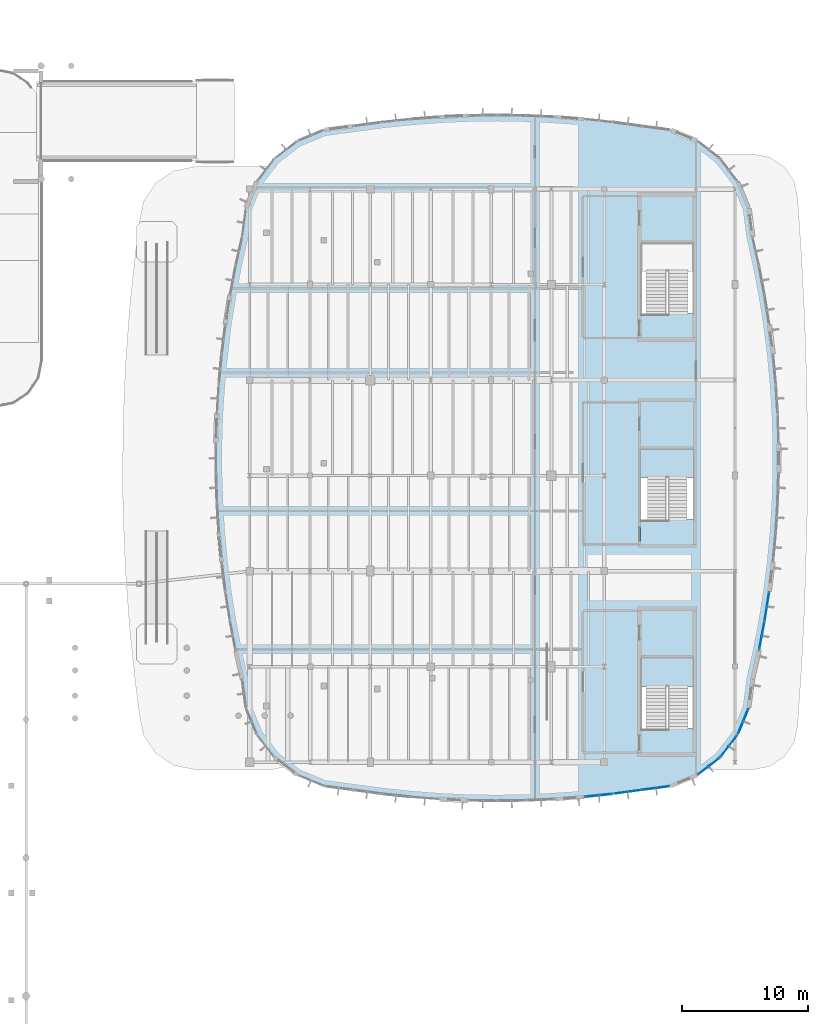
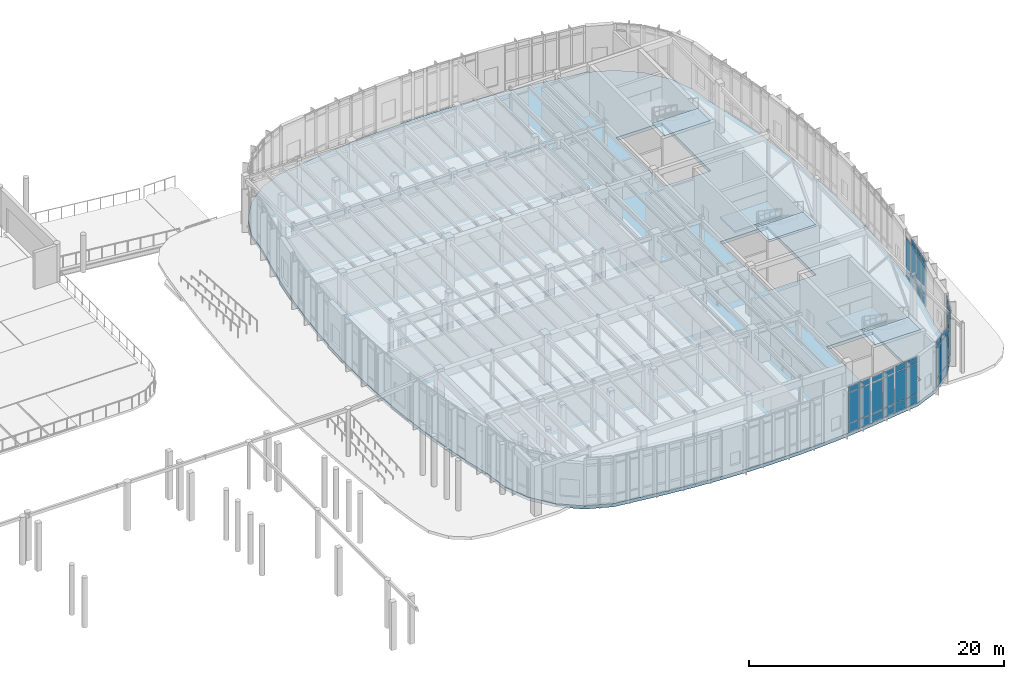
# One storey, part 83 of 120: 47 plates, 6 slabs, 11 elements without a shape of their own.
"""IFC4 building model written with IfcOpenShell, lengths in metres."""

from ifc_helpers import new_model, si_unit, direction, frame, origin, origin_2d, place, context, subcontext, project, spatial, polyline, rectangle, outline, extrude, material, layer, layer_set, type_object, element, aggregate, save


model = new_model("IFC4")

# Units and contexts
model_context = context("Model", 3, precision=1e-05, world=origin(), true_north=direction((0.0, 1.0)))
body_context = subcontext(model_context, "Body", "Model", "MODEL_VIEW")
ifc_project = project(units=[si_unit("LENGTHUNIT", "METRE"), si_unit("AREAUNIT", "SQUARE_METRE"), si_unit("VOLUMEUNIT", "CUBIC_METRE"), si_unit("PLANEANGLEUNIT", "RADIAN"), si_unit("MASSUNIT", "GRAM", prefix="KILO")], contexts=[model_context])

# Site, building, storey
site_placement = place(None, origin())
site = spatial("IfcSite", under=ifc_project, at=site_placement, CompositionType="ELEMENT")
building_placement = place(site_placement, origin())
building = spatial("IfcBuilding", under=site, at=building_placement, Name="Corveleigh Park Community Centre", CompositionType="ELEMENT")
storey_placement = place(building_placement, origin())
storey = spatial("IfcBuildingStorey", under=building, at=storey_placement, Name="L00", CompositionType="ELEMENT", Elevation=0.0)

# Curtain wall, plates
ifc_material_1 = material(Name="Anodised aluminium 6063-T6", Category="aluminium")
curtain_wall_type = type_object("IfcCurtainWallType", Name="CW-SYS-V4-L00", PredefinedType="NOTDEFINED", material=ifc_material_1)
curtain_wall_1_placement = place(storey_placement, origin())
curtain_wall_1 = element("IfcCurtainWall", 1, at=curtain_wall_1_placement, inside=storey, type_object=curtain_wall_type, Name="V4 L00 Curtain Wall 121", PredefinedType="NOTDEFINED")
ifc_material_2 = material(Name="Low-E double glazing", Category="glass")
ifc_layer_1 = layer(ifc_material_2, 0.02392578125, Name="Low-E double glazing", Category="glass")
ifc_layer_set_1 = layer_set([ifc_layer_1], Name="Low-E double glazing")
plate_type_1 = type_object("IfcPlateType", Name="CWP-GLZ-24", PredefinedType="CURTAIN_PANEL", material=ifc_layer_set_1)
plate_1_placement = place(storey_placement, frame((171.037353515625, 71.572998046875, 0.06005859375), z_axis=(0.0, 0.0, 1.0), x_axis=(-0.157011297563, -0.987596806616, 0.0)))
plate_1 = element("IfcPlate", 2, at=plate_1_placement, type_object=plate_type_1, Name="CW07 panel 1.1", PredefinedType="CURTAIN_PANEL", context=body_context, shape_type="SweptSolid", body=[
    extrude(rectangle(XDim=1.0849609375, YDim=0.02392578125, at=origin_2d()), origin(), (0.0, 0.0, 1.0), 0.81005859375),
])
plate_2_placement = place(storey_placement, frame((171.037353515625, 71.572998046875, 0.93017578125), z_axis=(0.0, 0.0, 1.0), x_axis=(-0.157011297563, -0.987596806616, 0.0)))
plate_2 = element("IfcPlate", 3, at=plate_2_placement, type_object=plate_type_1, Name="CW07 panel 1.2", PredefinedType="CURTAIN_PANEL", context=body_context, shape_type="SweptSolid", body=[
    extrude(rectangle(XDim=1.0849609375, YDim=0.02392578125, at=origin_2d()), origin(), (0.0, 0.0, 1.0), 2.902099609375),
])
plate_3_placement = place(storey_placement, frame((170.857666015625, 70.442138671875, 0.06005859375), z_axis=(0.0, 0.0, 1.0), x_axis=(-0.157011297563, -0.987596806616, 0.0)))
plate_3 = element("IfcPlate", 4, at=plate_3_placement, type_object=plate_type_1, Name="CW07 panel 2.1", PredefinedType="CURTAIN_PANEL", context=body_context, shape_type="SweptSolid", body=[
    extrude(rectangle(XDim=1.0849609375, YDim=0.02392578125, at=origin_2d()), origin(), (0.0, 0.0, 1.0), 0.81005859375),
])
plate_4_placement = place(storey_placement, frame((170.857666015625, 70.442138671875, 0.93017578125), z_axis=(0.0, 0.0, 1.0), x_axis=(-0.157011297563, -0.987596806616, 0.0)))
plate_4 = element("IfcPlate", 5, at=plate_4_placement, type_object=plate_type_1, Name="CW07 panel 2.2", PredefinedType="CURTAIN_PANEL", context=body_context, shape_type="SweptSolid", body=[
    extrude(rectangle(XDim=1.0849609375, YDim=0.02392578125, at=origin_2d()), origin(), (0.0, 0.0, 1.0), 2.902099609375),
])
plate_5_placement = place(storey_placement, frame((170.857666015625, 70.442138671875, 3.89208984375), z_axis=(0.0, 0.0, 1.0), x_axis=(-0.157011297563, -0.987596806616, 0.0)))
plate_5 = element("IfcPlate", 6, at=plate_5_placement, type_object=plate_type_1, Name="CW07 panel 2.3", PredefinedType="CURTAIN_PANEL", context=body_context, shape_type="SweptSolid", body=[
    extrude(rectangle(XDim=1.0849609375, YDim=0.02392578125, at=origin_2d()), origin(), (0.0, 0.0, 1.0), 0.56005859375),
])
aggregate(curtain_wall_1, [plate_1, plate_2, plate_3, plate_4, plate_5])

curtain_wall_2_placement = place(storey_placement, origin())
curtain_wall_2 = element("IfcCurtainWall", 7, at=curtain_wall_2_placement, inside=storey, type_object=curtain_wall_type, Name="V4 L00 Curtain Wall 114", PredefinedType="NOTDEFINED")
ifc_layer_2 = layer(ifc_material_2, 0.031982421875, Name="Low-E double glazing", Category="glass")
ifc_layer_set_2 = layer_set([ifc_layer_2], Name="Low-E double glazing")
plate_type_2 = type_object("IfcPlateType", Name="CWP-GLZ-32", PredefinedType="CURTAIN_PANEL", material=ifc_layer_set_2)
plate_6_placement = place(storey_placement, frame((158.11328125, 56.02099609375, 0.074951171875), z_axis=(0.0, 0.0, 1.0), x_axis=(-0.994358586711, -0.106070735992, 0.0)))
plate_6 = element("IfcPlate", 8, at=plate_6_placement, type_object=plate_type_2, Name="CW07 panel 1.1", PredefinedType="CURTAIN_PANEL", context=body_context, shape_type="SweptSolid", body=[
    extrude(rectangle(XDim=1.01806640625, YDim=0.031982421875, at=origin_2d()), origin(), (0.0, 0.0, 1.0), 0.78759765625),
])
plate_7_placement = place(storey_placement, frame((158.11328125, 56.02099609375, 0.9375), z_axis=(0.0, 0.0, 1.0), x_axis=(-0.994358586711, -0.106070735992, 0.0)))
plate_7 = element("IfcPlate", 9, at=plate_7_placement, type_object=plate_type_2, Name="CW07 panel 1.2", PredefinedType="CURTAIN_PANEL", context=body_context, shape_type="SweptSolid", body=[
    extrude(rectangle(XDim=1.01806640625, YDim=0.031982421875, at=origin_2d()), origin(), (0.0, 0.0, 1.0), 2.886962890625),
])
plate_8_placement = place(storey_placement, frame((158.11328125, 56.02099609375, 3.8994140625), z_axis=(0.0, 0.0, 1.0), x_axis=(-0.994358586711, -0.106070735992, 0.0)))
plate_8 = element("IfcPlate", 10, at=plate_8_placement, type_object=plate_type_2, Name="CW07 panel 1.3", PredefinedType="CURTAIN_PANEL", context=body_context, shape_type="SweptSolid", body=[
    extrude(rectangle(XDim=1.01806640625, YDim=0.031982421875, at=origin_2d()), origin(), (0.0, 0.0, 1.0), 0.53759765625),
])
plate_9_placement = place(storey_placement, frame((157.0166015625, 55.904052734375, 0.074951171875), z_axis=(0.0, 0.0, 1.0), x_axis=(-0.994358586711, -0.106070735992, 0.0)))
plate_9 = element("IfcPlate", 11, at=plate_9_placement, type_object=plate_type_2, Name="CW07 panel 2.1", PredefinedType="CURTAIN_PANEL", context=body_context, shape_type="SweptSolid", body=[
    extrude(rectangle(XDim=1.01806640625, YDim=0.031982421875, at=origin_2d()), origin(), (0.0, 0.0, 1.0), 0.78759765625),
])
plate_10_placement = place(storey_placement, frame((157.0166015625, 55.904052734375, 0.9375), z_axis=(0.0, 0.0, 1.0), x_axis=(-0.994358586711, -0.106070735992, 0.0)))
plate_10 = element("IfcPlate", 12, at=plate_10_placement, type_object=plate_type_2, Name="CW07 panel 2.2", PredefinedType="CURTAIN_PANEL", context=body_context, shape_type="SweptSolid", body=[
    extrude(rectangle(XDim=1.01806640625, YDim=0.031982421875, at=origin_2d()), origin(), (0.0, 0.0, 1.0), 2.886962890625),
])
plate_11_placement = place(storey_placement, frame((157.0166015625, 55.904052734375, 3.8994140625), z_axis=(0.0, 0.0, 1.0), x_axis=(-0.994358586711, -0.106070735992, 0.0)))
plate_11 = element("IfcPlate", 13, at=plate_11_placement, type_object=plate_type_2, Name="CW07 panel 2.3", PredefinedType="CURTAIN_PANEL", context=body_context, shape_type="SweptSolid", body=[
    extrude(rectangle(XDim=1.01806640625, YDim=0.031982421875, at=origin_2d()), origin(), (0.0, 0.0, 1.0), 0.53759765625),
])
aggregate(curtain_wall_2, [plate_6, plate_7, plate_8, plate_9, plate_10, plate_11])

curtain_wall_3_placement = place(storey_placement, origin())
curtain_wall_3 = element("IfcCurtainWall", 14, at=curtain_wall_3_placement, inside=storey, type_object=curtain_wall_type, Name="V4 L00 Curtain Wall 115", PredefinedType="NOTDEFINED")
ifc_layer_3 = layer(ifc_material_2, 0.035888671875, Name="Low-E double glazing", Category="glass")
ifc_layer_set_3 = layer_set([ifc_layer_3], Name="Low-E double glazing")
plate_type_3 = type_object("IfcPlateType", Name="CWP-GLZ-36", PredefinedType="CURTAIN_PANEL", material=ifc_layer_set_3)
plate_12_placement = place(storey_placement, frame((160.410400390625, 56.318603515625, 0.080078125), z_axis=(0.0, 0.0, 1.0), x_axis=(-0.990635375791, -0.136534069852, 0.0)))
plate_12 = element("IfcPlate", 15, at=plate_12_placement, type_object=plate_type_3, Name="CW07 panel 1.1", PredefinedType="CURTAIN_PANEL", context=body_context, shape_type="SweptSolid", body=[
    extrude(rectangle(XDim=1.05615234375, YDim=0.035888671875, at=origin_2d()), origin(), (0.0, 0.0, 1.0), 0.780029296875),
])
plate_13_placement = place(storey_placement, frame((160.410400390625, 56.318603515625, 0.93994140625), z_axis=(0.0, 0.0, 1.0), x_axis=(-0.990635375791, -0.136534069852, 0.0)))
plate_13 = element("IfcPlate", 16, at=plate_13_placement, type_object=plate_type_3, Name="CW07 panel 1.2", PredefinedType="CURTAIN_PANEL", context=body_context, shape_type="SweptSolid", body=[
    extrude(rectangle(XDim=1.05615234375, YDim=0.035888671875, at=origin_2d()), origin(), (0.0, 0.0, 1.0), 2.882080078125),
])
plate_14_placement = place(storey_placement, frame((160.410400390625, 56.318603515625, 3.90185546875), z_axis=(0.0, 0.0, 1.0), x_axis=(-0.990635375791, -0.136534069852, 0.0)))
plate_14 = element("IfcPlate", 17, at=plate_14_placement, type_object=plate_type_3, Name="CW07 panel 1.3", PredefinedType="CURTAIN_PANEL", context=body_context, shape_type="SweptSolid", body=[
    extrude(rectangle(XDim=1.05615234375, YDim=0.035888671875, at=origin_2d()), origin(), (0.0, 0.0, 1.0), 0.530029296875),
])
plate_15_placement = place(storey_placement, frame((159.3046875, 56.166259765625, 0.080078125), z_axis=(0.0, 0.0, 1.0), x_axis=(-0.990635375791, -0.136534069852, 0.0)))
plate_15 = element("IfcPlate", 18, at=plate_15_placement, type_object=plate_type_3, Name="CW07 panel 2.1", PredefinedType="CURTAIN_PANEL", context=body_context, shape_type="SweptSolid", body=[
    extrude(rectangle(XDim=1.05615234375, YDim=0.035888671875, at=origin_2d()), origin(), (0.0, 0.0, 1.0), 0.780029296875),
])
plate_16_placement = place(storey_placement, frame((159.3046875, 56.166259765625, 0.93994140625), z_axis=(0.0, 0.0, 1.0), x_axis=(-0.990635375791, -0.136534069852, 0.0)))
plate_16 = element("IfcPlate", 19, at=plate_16_placement, type_object=plate_type_3, Name="CW07 panel 2.2", PredefinedType="CURTAIN_PANEL", context=body_context, shape_type="SweptSolid", body=[
    extrude(rectangle(XDim=1.05615234375, YDim=0.035888671875, at=origin_2d()), origin(), (0.0, 0.0, 1.0), 2.882080078125),
])
plate_17_placement = place(storey_placement, frame((159.3046875, 56.166259765625, 3.90185546875), z_axis=(0.0, 0.0, 1.0), x_axis=(-0.990635375791, -0.136534069852, 0.0)))
plate_17 = element("IfcPlate", 20, at=plate_17_placement, type_object=plate_type_3, Name="CW07 panel 2.3", PredefinedType="CURTAIN_PANEL", context=body_context, shape_type="SweptSolid", body=[
    extrude(rectangle(XDim=1.05615234375, YDim=0.035888671875, at=origin_2d()), origin(), (0.0, 0.0, 1.0), 0.530029296875),
])
aggregate(curtain_wall_3, [plate_12, plate_13, plate_14, plate_15, plate_16, plate_17])

curtain_wall_4_placement = place(storey_placement, origin())
curtain_wall_4 = element("IfcCurtainWall", 21, at=curtain_wall_4_placement, inside=storey, type_object=curtain_wall_type, Name="V4 L00 Curtain Wall 116", PredefinedType="NOTDEFINED")
plate_18_placement = place(storey_placement, frame((162.670166015625, 56.6201171875, 0.06005859375), z_axis=(0.0, 0.0, 1.0), x_axis=(-0.991431673383, -0.130626325881, 0.0)))
plate_18 = element("IfcPlate", 22, at=plate_18_placement, type_object=plate_type_3, Name="CW07 panel 1.1", PredefinedType="CURTAIN_PANEL", context=body_context, shape_type="SweptSolid", body=[
    extrude(rectangle(XDim=1.03173828125, YDim=0.035888671875, at=origin_2d()), origin(), (0.0, 0.0, 1.0), 0.81005859375),
])
plate_19_placement = place(storey_placement, frame((162.670166015625, 56.6201171875, 0.93017578125), z_axis=(0.0, 0.0, 1.0), x_axis=(-0.991431673383, -0.130626325881, 0.0)))
plate_19 = element("IfcPlate", 23, at=plate_19_placement, type_object=plate_type_3, Name="CW07 panel 1.2", PredefinedType="CURTAIN_PANEL", context=body_context, shape_type="SweptSolid", body=[
    extrude(rectangle(XDim=1.03173828125, YDim=0.035888671875, at=origin_2d()), origin(), (0.0, 0.0, 1.0), 2.902099609375),
])
plate_20_placement = place(storey_placement, frame((162.670166015625, 56.6201171875, 3.89208984375), z_axis=(0.0, 0.0, 1.0), x_axis=(-0.991431673383, -0.130626325881, 0.0)))
plate_20 = element("IfcPlate", 24, at=plate_20_placement, type_object=plate_type_3, Name="CW07 panel 1.3", PredefinedType="CURTAIN_PANEL", context=body_context, shape_type="SweptSolid", body=[
    extrude(rectangle(XDim=1.03173828125, YDim=0.035888671875, at=origin_2d()), origin(), (0.0, 0.0, 1.0), 0.56005859375),
])
plate_21_placement = place(storey_placement, frame((161.582763671875, 56.476806640625, 0.06005859375), z_axis=(0.0, 0.0, 1.0), x_axis=(-0.991431673383, -0.130626325881, 0.0)))
plate_21 = element("IfcPlate", 25, at=plate_21_placement, type_object=plate_type_3, Name="CW07 panel 2.1", PredefinedType="CURTAIN_PANEL", context=body_context, shape_type="SweptSolid", body=[
    extrude(rectangle(XDim=1.03173828125, YDim=0.035888671875, at=origin_2d()), origin(), (0.0, 0.0, 1.0), 0.81005859375),
])
plate_22_placement = place(storey_placement, frame((161.582763671875, 56.476806640625, 0.93017578125), z_axis=(0.0, 0.0, 1.0), x_axis=(-0.991431673383, -0.130626325881, 0.0)))
plate_22 = element("IfcPlate", 26, at=plate_22_placement, type_object=plate_type_3, Name="CW07 panel 2.2", PredefinedType="CURTAIN_PANEL", context=body_context, shape_type="SweptSolid", body=[
    extrude(rectangle(XDim=1.03173828125, YDim=0.035888671875, at=origin_2d()), origin(), (0.0, 0.0, 1.0), 2.902099609375),
])
plate_23_placement = place(storey_placement, frame((161.582763671875, 56.476806640625, 3.89208984375), z_axis=(0.0, 0.0, 1.0), x_axis=(-0.991431673383, -0.130626325881, 0.0)))
plate_23 = element("IfcPlate", 27, at=plate_23_placement, type_object=plate_type_3, Name="CW07 panel 2.3", PredefinedType="CURTAIN_PANEL", context=body_context, shape_type="SweptSolid", body=[
    extrude(rectangle(XDim=1.03173828125, YDim=0.035888671875, at=origin_2d()), origin(), (0.0, 0.0, 1.0), 0.56005859375),
])
aggregate(curtain_wall_4, [plate_18, plate_19, plate_20, plate_21, plate_22, plate_23])

curtain_wall_5_placement = place(storey_placement, origin())
curtain_wall_5 = element("IfcCurtainWall", 28, at=curtain_wall_5_placement, inside=storey, type_object=curtain_wall_type, Name="V4 L00 Curtain Wall 117", PredefinedType="NOTDEFINED")
ifc_layer_4 = layer(ifc_material_2, 0.0400390625, Name="Low-E double glazing", Category="glass")
ifc_layer_set_4 = layer_set([ifc_layer_4], Name="Low-E double glazing")
plate_type_4 = type_object("IfcPlateType", Name="CWP-GLZ-40", PredefinedType="CURTAIN_PANEL", material=ifc_layer_set_4)
plate_24_placement = place(storey_placement, frame((166.740966796875, 58.607421875, 0.06494140625), z_axis=(0.0, 0.0, 1.0), x_axis=(-0.79345507523, -0.608628822511, 0.0)))
plate_24 = element("IfcPlate", 29, at=plate_24_placement, type_object=plate_type_4, Name="CW07 panel 1.1", PredefinedType="CURTAIN_PANEL", context=body_context, shape_type="SweptSolid", body=[
    extrude(rectangle(XDim=1.01220703125, YDim=0.0400390625, at=origin_2d()), origin(), (0.0, 0.0, 1.0), 0.802490234375),
])
plate_25_placement = place(storey_placement, frame((166.740966796875, 58.607421875, 0.9326171875), z_axis=(0.0, 0.0, 1.0), x_axis=(-0.79345507523, -0.608628822511, 0.0)))
plate_25 = element("IfcPlate", 30, at=plate_25_placement, type_object=plate_type_4, Name="CW07 panel 1.2", PredefinedType="CURTAIN_PANEL", context=body_context, shape_type="SweptSolid", body=[
    extrude(rectangle(XDim=1.01220703125, YDim=0.0400390625, at=origin_2d()), origin(), (0.0, 0.0, 1.0), 2.89697265625),
])
plate_26_placement = place(storey_placement, frame((166.740966796875, 58.607421875, 3.89453125), z_axis=(0.0, 0.0, 1.0), x_axis=(-0.79345507523, -0.608628822511, 0.0)))
plate_26 = element("IfcPlate", 31, at=plate_26_placement, type_object=plate_type_4, Name="CW07 panel 1.3", PredefinedType="CURTAIN_PANEL", context=body_context, shape_type="SweptSolid", body=[
    extrude(rectangle(XDim=1.01220703125, YDim=0.0400390625, at=origin_2d()), origin(), (0.0, 0.0, 1.0), 0.552490234375),
])
plate_27_placement = place(storey_placement, frame((165.882080078125, 57.94873046875, 0.06494140625), z_axis=(0.0, 0.0, 1.0), x_axis=(-0.79345507523, -0.608628822511, 0.0)))
plate_27 = element("IfcPlate", 32, at=plate_27_placement, type_object=plate_type_4, Name="CW07 panel 2.1", PredefinedType="CURTAIN_PANEL", context=body_context, shape_type="SweptSolid", body=[
    extrude(rectangle(XDim=1.01220703125, YDim=0.0400390625, at=origin_2d()), origin(), (0.0, 0.0, 1.0), 0.802490234375),
])
plate_28_placement = place(storey_placement, frame((165.882080078125, 57.94873046875, 0.9326171875), z_axis=(0.0, 0.0, 1.0), x_axis=(-0.79345507523, -0.608628822511, 0.0)))
plate_28 = element("IfcPlate", 33, at=plate_28_placement, type_object=plate_type_4, Name="CW07 panel 2.2", PredefinedType="CURTAIN_PANEL", context=body_context, shape_type="SweptSolid", body=[
    extrude(rectangle(XDim=1.01220703125, YDim=0.0400390625, at=origin_2d()), origin(), (0.0, 0.0, 1.0), 2.89697265625),
])
plate_29_placement = place(storey_placement, frame((165.882080078125, 57.94873046875, 3.89453125), z_axis=(0.0, 0.0, 1.0), x_axis=(-0.79345507523, -0.608628822511, 0.0)))
plate_29 = element("IfcPlate", 34, at=plate_29_placement, type_object=plate_type_4, Name="CW07 panel 2.3", PredefinedType="CURTAIN_PANEL", context=body_context, shape_type="SweptSolid", body=[
    extrude(rectangle(XDim=1.01220703125, YDim=0.0400390625, at=origin_2d()), origin(), (0.0, 0.0, 1.0), 0.552490234375),
])
aggregate(curtain_wall_5, [plate_24, plate_25, plate_26, plate_27, plate_28, plate_29])

curtain_wall_6_placement = place(storey_placement, origin())
curtain_wall_6 = element("IfcCurtainWall", 35, at=curtain_wall_6_placement, inside=storey, type_object=curtain_wall_type, Name="V4 L00 Curtain Wall 118", PredefinedType="NOTDEFINED")
plate_30_placement = place(storey_placement, frame((168.25048828125, 60.31689453125, 0.070068359375), z_axis=(0.0, 0.0, 1.0), x_axis=(-0.608628822511, -0.79345507523, 0.0)))
plate_30 = element("IfcPlate", 36, at=plate_30_placement, type_object=plate_type_4, Name="CW07 panel 1.1", PredefinedType="CURTAIN_PANEL", context=body_context, shape_type="SweptSolid", body=[
    extrude(rectangle(XDim=1.0048828125, YDim=0.0400390625, at=origin_2d()), origin(), (0.0, 0.0, 1.0), 0.794921875),
])
plate_31_placement = place(storey_placement, frame((168.25048828125, 60.31689453125, 0.93505859375), z_axis=(0.0, 0.0, 1.0), x_axis=(-0.608628822511, -0.79345507523, 0.0)))
plate_31 = element("IfcPlate", 37, at=plate_31_placement, type_object=plate_type_4, Name="CW07 panel 1.2", PredefinedType="CURTAIN_PANEL", context=body_context, shape_type="SweptSolid", body=[
    extrude(rectangle(XDim=1.0048828125, YDim=0.0400390625, at=origin_2d()), origin(), (0.0, 0.0, 1.0), 2.89208984375),
])
plate_32_placement = place(storey_placement, frame((168.25048828125, 60.31689453125, 3.89697265625), z_axis=(0.0, 0.0, 1.0), x_axis=(-0.608628822511, -0.79345507523, 0.0)))
plate_32 = element("IfcPlate", 38, at=plate_32_placement, type_object=plate_type_4, Name="CW07 panel 1.3", PredefinedType="CURTAIN_PANEL", context=body_context, shape_type="SweptSolid", body=[
    extrude(rectangle(XDim=1.0048828125, YDim=0.0400390625, at=origin_2d()), origin(), (0.0, 0.0, 1.0), 0.544921875),
])
plate_33_placement = place(storey_placement, frame((167.593505859375, 59.460205078125, 0.070068359375), z_axis=(0.0, 0.0, 1.0), x_axis=(-0.608628822511, -0.79345507523, 0.0)))
plate_33 = element("IfcPlate", 39, at=plate_33_placement, type_object=plate_type_4, Name="CW07 panel 2.1", PredefinedType="CURTAIN_PANEL", context=body_context, shape_type="SweptSolid", body=[
    extrude(rectangle(XDim=1.0048828125, YDim=0.0400390625, at=origin_2d()), origin(), (0.0, 0.0, 1.0), 0.794921875),
])
plate_34_placement = place(storey_placement, frame((167.593505859375, 59.460205078125, 0.93505859375), z_axis=(0.0, 0.0, 1.0), x_axis=(-0.608628822511, -0.79345507523, 0.0)))
plate_34 = element("IfcPlate", 40, at=plate_34_placement, type_object=plate_type_4, Name="CW07 panel 2.2", PredefinedType="CURTAIN_PANEL", context=body_context, shape_type="SweptSolid", body=[
    extrude(rectangle(XDim=1.0048828125, YDim=0.0400390625, at=origin_2d()), origin(), (0.0, 0.0, 1.0), 2.89208984375),
])
plate_35_placement = place(storey_placement, frame((167.593505859375, 59.460205078125, 3.89697265625), z_axis=(0.0, 0.0, 1.0), x_axis=(-0.608628822511, -0.79345507523, 0.0)))
plate_35 = element("IfcPlate", 41, at=plate_35_placement, type_object=plate_type_4, Name="CW07 panel 2.3", PredefinedType="CURTAIN_PANEL", context=body_context, shape_type="SweptSolid", body=[
    extrude(rectangle(XDim=1.0048828125, YDim=0.0400390625, at=origin_2d()), origin(), (0.0, 0.0, 1.0), 0.544921875),
])
aggregate(curtain_wall_6, [plate_30, plate_31, plate_32, plate_33, plate_34, plate_35])

curtain_wall_7_placement = place(storey_placement, origin())
curtain_wall_7 = element("IfcCurtainWall", 42, at=curtain_wall_7_placement, inside=storey, type_object=curtain_wall_type, Name="V4 L00 Curtain Wall 119", PredefinedType="NOTDEFINED")
ifc_layer_5 = layer(ifc_material_2, 0.0439453125, Name="Low-E double glazing", Category="glass")
ifc_layer_set_5 = layer_set([ifc_layer_5], Name="Low-E double glazing")
plate_type_5 = type_object("IfcPlateType", Name="CWP-GLZ-44", PredefinedType="CURTAIN_PANEL", material=ifc_layer_set_5)
plate_36_placement = place(storey_placement, frame((169.2666015625, 62.35791015625, 0.074951171875), z_axis=(0.0, 0.0, 1.0), x_axis=(-0.383024346152, -0.923738247695, 0.0)))
plate_36 = element("IfcPlate", 43, at=plate_36_placement, type_object=plate_type_5, Name="CW07 panel 1.1", PredefinedType="CURTAIN_PANEL", context=body_context, shape_type="SweptSolid", body=[
    extrude(rectangle(XDim=0.99609375, YDim=0.0439453125, at=origin_2d()), origin(), (0.0, 0.0, 1.0), 0.78759765625),
])
plate_37_placement = place(storey_placement, frame((169.2666015625, 62.35791015625, 0.9375), z_axis=(0.0, 0.0, 1.0), x_axis=(-0.383024346152, -0.923738247695, 0.0)))
plate_37 = element("IfcPlate", 44, at=plate_37_placement, type_object=plate_type_5, Name="CW07 panel 1.2", PredefinedType="CURTAIN_PANEL", context=body_context, shape_type="SweptSolid", body=[
    extrude(rectangle(XDim=0.99609375, YDim=0.0439453125, at=origin_2d()), origin(), (0.0, 0.0, 1.0), 2.886962890625),
])
plate_38_placement = place(storey_placement, frame((169.2666015625, 62.35791015625, 3.8994140625), z_axis=(0.0, 0.0, 1.0), x_axis=(-0.383024346152, -0.923738247695, 0.0)))
plate_38 = element("IfcPlate", 45, at=plate_38_placement, type_object=plate_type_5, Name="CW07 panel 1.3", PredefinedType="CURTAIN_PANEL", context=body_context, shape_type="SweptSolid", body=[
    extrude(rectangle(XDim=0.99609375, YDim=0.0439453125, at=origin_2d()), origin(), (0.0, 0.0, 1.0), 0.53759765625),
])
plate_39_placement = place(storey_placement, frame((168.8544921875, 61.364013671875, 0.074951171875), z_axis=(0.0, 0.0, 1.0), x_axis=(-0.383024346152, -0.923738247695, 0.0)))
plate_39 = element("IfcPlate", 46, at=plate_39_placement, type_object=plate_type_5, Name="CW07 panel 2.1", PredefinedType="CURTAIN_PANEL", context=body_context, shape_type="SweptSolid", body=[
    extrude(rectangle(XDim=0.99609375, YDim=0.0439453125, at=origin_2d()), origin(), (0.0, 0.0, 1.0), 0.78759765625),
])
plate_40_placement = place(storey_placement, frame((168.8544921875, 61.364013671875, 0.9375), z_axis=(0.0, 0.0, 1.0), x_axis=(-0.383024346152, -0.923738247695, 0.0)))
plate_40 = element("IfcPlate", 47, at=plate_40_placement, type_object=plate_type_5, Name="CW07 panel 2.2", PredefinedType="CURTAIN_PANEL", context=body_context, shape_type="SweptSolid", body=[
    extrude(rectangle(XDim=0.99609375, YDim=0.0439453125, at=origin_2d()), origin(), (0.0, 0.0, 1.0), 2.886962890625),
])
plate_41_placement = place(storey_placement, frame((168.8544921875, 61.364013671875, 3.8994140625), z_axis=(0.0, 0.0, 1.0), x_axis=(-0.383024346152, -0.923738247695, 0.0)))
plate_41 = element("IfcPlate", 48, at=plate_41_placement, type_object=plate_type_5, Name="CW07 panel 2.3", PredefinedType="CURTAIN_PANEL", context=body_context, shape_type="SweptSolid", body=[
    extrude(rectangle(XDim=0.99609375, YDim=0.0439453125, at=origin_2d()), origin(), (0.0, 0.0, 1.0), 0.53759765625),
])
aggregate(curtain_wall_7, [plate_36, plate_37, plate_38, plate_39, plate_40, plate_41])

curtain_wall_8_placement = place(storey_placement, origin())
curtain_wall_8 = element("IfcCurtainWall", 49, at=curtain_wall_8_placement, inside=storey, type_object=curtain_wall_type, Name="V4 L00 Curtain Wall 120", PredefinedType="NOTDEFINED")
plate_42_placement = place(storey_placement, frame((170.64599609375, 69.23095703125, 0.080078125), z_axis=(0.0, 0.0, 1.0), x_axis=(-0.187190304951, -0.982323668519, 0.0)))
plate_42 = element("IfcPlate", 50, at=plate_42_placement, type_object=plate_type_5, Name="CW07 panel 1.1", PredefinedType="CURTAIN_PANEL", context=body_context, shape_type="SweptSolid", body=[
    extrude(rectangle(XDim=1.0478515625, YDim=0.0439453125, at=origin_2d()), origin(), (0.0, 0.0, 1.0), 0.780029296875),
])
plate_43_placement = place(storey_placement, frame((170.64599609375, 69.23095703125, 0.93994140625), z_axis=(0.0, 0.0, 1.0), x_axis=(-0.187190304951, -0.982323668519, 0.0)))
plate_43 = element("IfcPlate", 51, at=plate_43_placement, type_object=plate_type_5, Name="CW07 panel 1.2", PredefinedType="CURTAIN_PANEL", context=body_context, shape_type="SweptSolid", body=[
    extrude(rectangle(XDim=1.0478515625, YDim=0.0439453125, at=origin_2d()), origin(), (0.0, 0.0, 1.0), 2.882080078125),
])
plate_44_placement = place(storey_placement, frame((170.64599609375, 69.23095703125, 3.90185546875), z_axis=(0.0, 0.0, 1.0), x_axis=(-0.187190304951, -0.982323668519, 0.0)))
plate_44 = element("IfcPlate", 52, at=plate_44_placement, type_object=plate_type_5, Name="CW07 panel 1.3", PredefinedType="CURTAIN_PANEL", context=body_context, shape_type="SweptSolid", body=[
    extrude(rectangle(XDim=1.0478515625, YDim=0.0439453125, at=origin_2d()), origin(), (0.0, 0.0, 1.0), 0.530029296875),
])
plate_45_placement = place(storey_placement, frame((170.43408203125, 68.1181640625, 0.080078125), z_axis=(0.0, 0.0, 1.0), x_axis=(-0.187190304951, -0.982323668519, 0.0)))
plate_45 = element("IfcPlate", 53, at=plate_45_placement, type_object=plate_type_5, Name="CW07 panel 2.1", PredefinedType="CURTAIN_PANEL", context=body_context, shape_type="SweptSolid", body=[
    extrude(rectangle(XDim=1.0478515625, YDim=0.0439453125, at=origin_2d()), origin(), (0.0, 0.0, 1.0), 0.780029296875),
])
plate_46_placement = place(storey_placement, frame((170.43408203125, 68.1181640625, 0.93994140625), z_axis=(0.0, 0.0, 1.0), x_axis=(-0.187190304951, -0.982323668519, 0.0)))
plate_46 = element("IfcPlate", 54, at=plate_46_placement, type_object=plate_type_5, Name="CW07 panel 2.2", PredefinedType="CURTAIN_PANEL", context=body_context, shape_type="SweptSolid", body=[
    extrude(rectangle(XDim=1.0478515625, YDim=0.0439453125, at=origin_2d()), origin(), (0.0, 0.0, 1.0), 2.882080078125),
])
plate_47_placement = place(storey_placement, frame((170.43408203125, 68.1181640625, 3.90185546875), z_axis=(0.0, 0.0, 1.0), x_axis=(-0.187190304951, -0.982323668519, 0.0)))
plate_47 = element("IfcPlate", 55, at=plate_47_placement, type_object=plate_type_5, Name="CW07 panel 2.3", PredefinedType="CURTAIN_PANEL", context=body_context, shape_type="SweptSolid", body=[
    extrude(rectangle(XDim=1.0478515625, YDim=0.0439453125, at=origin_2d()), origin(), (0.0, 0.0, 1.0), 0.530029296875),
])
aggregate(curtain_wall_8, [plate_42, plate_43, plate_44, plate_45, plate_46, plate_47])

# Slab
ifc_material_3 = material(Name="Concrete C32/40", Category="concrete")
ifc_layer_6 = layer(ifc_material_3, 0.31005859375, Name="Concrete C32/40", Category="concrete")
ifc_layer_set_6 = layer_set([ifc_layer_6], Name="Concrete C32/40")
slab_type_1 = type_object("IfcSlabType", Name="SLB-GND-310", PredefinedType="FLOOR", material=ifc_layer_set_6)
slab_1_placement = place(storey_placement, frame((0.0, 0.0, -0.31005859375)))
element("IfcSlab", 56, at=slab_1_placement, inside=storey, type_object=slab_type_1, Name="V4 L00 floor slab", PredefinedType="FLOOR", context=body_context, shape_type="SweptSolid", body=[
    extrude(outline(polyline([(133.60009765625, 57.5791015625), (131.777099609375, 58.97705078125), (130.37890625, 60.800048828125), (129.5, 62.922119140625), (129.199951171875, 65.199951171875), (128.681884765625, 67.510986328125), (128.238037109375, 69.837890625), (127.866943359375, 72.177001953125), (127.569091796875, 74.527099609375), (127.345947265625, 76.885009765625), (127.197021484375, 79.248046875), (127.1220703125, 81.615966796875), (127.1220703125, 83.98388671875), (127.197021484375, 86.35205078125), (127.345947265625, 88.715087890625), (127.569091796875, 91.072998046875), (127.866943359375, 93.423095703125), (128.238037109375, 95.761962890625), (128.681884765625, 98.089111328125), (129.199951171875, 100.39990234375), (129.5, 102.677978515625), (130.37890625, 104.800048828125), (131.777099609375, 106.623046875), (133.60009765625, 108.02099609375), (135.721923828125, 108.89990234375), (140.287109375, 109.514892578125), (142.5830078125, 109.760009765625), (144.885009765625, 109.93505859375), (147.19091796875, 110.0400390625), (149.5, 110.075927734375), (151.80908203125, 110.0400390625), (154.114990234375, 109.93505859375), (156.4169921875, 109.760009765625), (158.712890625, 109.514892578125), (163.278076171875, 108.89990234375), (165.39990234375, 108.02099609375), (167.222900390625, 106.623046875), (168.62109375, 104.800048828125), (169.5, 102.677978515625), (169.800048828125, 100.39990234375), (170.318115234375, 98.089111328125), (170.761962890625, 95.761962890625), (171.133056640625, 93.423095703125), (171.430908203125, 91.072998046875), (171.654052734375, 88.715087890625), (171.802978515625, 86.35205078125), (171.8779296875, 83.98388671875), (171.8779296875, 81.615966796875), (171.802978515625, 79.248046875), (171.654052734375, 76.885009765625), (171.430908203125, 74.527099609375), (171.133056640625, 72.177001953125), (170.761962890625, 69.837890625), (170.318115234375, 67.510986328125), (169.800048828125, 65.199951171875), (169.5, 62.922119140625), (168.62109375, 60.800048828125), (167.222900390625, 58.97705078125), (165.39990234375, 57.5791015625), (163.278076171875, 56.699951171875), (158.712890625, 56.0849609375), (156.4169921875, 55.840087890625), (154.114990234375, 55.6650390625), (151.80908203125, 55.56005859375), (149.5, 55.52392578125), (147.19091796875, 55.56005859375), (144.885009765625, 55.6650390625), (142.5830078125, 55.840087890625), (140.287109375, 56.0849609375), (135.721923828125, 56.699951171875), (133.60009765625, 57.5791015625)]), holes=[polyline([(160.9208984375, 66.928955078125), (160.9208984375, 59.321044921875), (165.0791015625, 59.321044921875), (165.0791015625, 66.928955078125), (160.9208984375, 66.928955078125)]), polyline([(160.87109375, 75.87109375), (165.12890625, 75.87109375), (165.12890625, 83.529052734375), (160.87109375, 83.529052734375), (160.87109375, 75.87109375)]), polyline([(160.9208984375, 99.928955078125), (160.9208984375, 92.321044921875), (165.0791015625, 92.321044921875), (165.0791015625, 99.928955078125), (160.9208984375, 99.928955078125)])]), origin(), (0.0, 0.0, 1.0), 0.31005859375),
])

# Stair, slabs
stair_type_1 = type_object("IfcStairType", Name="STR-HT-1600-480", PredefinedType="USERDEFINED", material=ifc_material_3)
stair_1_placement = place(storey_placement, origin())
stair_1 = element("IfcStair", 57, at=stair_1_placement, inside=storey, type_object=stair_type_1, Name="Protected escape stair ST1 (L00 to L01)", ObjectType="TWO_RETURN_STAIR", PredefinedType="USERDEFINED")
ifc_layer_7 = layer(ifc_material_3, 0.18798828125, Name="Concrete C32/40", Category="concrete")
ifc_layer_set_7 = layer_set([ifc_layer_7], Name="Concrete C32/40")
slab_type_2 = type_object("IfcSlabType", Name="SLB-LND-188", PredefinedType="LANDING", material=ifc_layer_set_7)
slab_2_placement = place(storey_placement, frame((0.0, 0.0, 2.2119140625)))
slab_2 = element("IfcSlab", 58, at=slab_2_placement, type_object=slab_type_2, Name="ST1 half landing", PredefinedType="LANDING", context=body_context, shape_type="SweptSolid", body=[
    extrude(outline(polyline([(160.927001953125, 64.635009765625), (165.072998046875, 64.635009765625), (165.072998046875, 66.923095703125), (160.927001953125, 66.923095703125), (160.927001953125, 64.635009765625)])), origin(), (0.0, 0.0, 1.0), 0.18798828125),
])
slab_3_placement = place(storey_placement, frame((0.0, 0.0, 4.612060546875)))
slab_3 = element("IfcSlab", 59, at=slab_3_placement, type_object=slab_type_2, Name="ST1 upper landing", PredefinedType="LANDING", context=body_context, shape_type="SweptSolid", body=[
    extrude(outline(polyline([(160.927001953125, 59.326904296875), (165.072998046875, 59.326904296875), (165.072998046875, 61.300048828125), (160.927001953125, 61.300048828125), (160.927001953125, 59.326904296875)])), origin(), (0.0, 0.0, 1.0), 0.18798828125),
])
aggregate(stair_1, [slab_2, slab_3])

# Stair, slab
stair_2_placement = place(storey_placement, origin())
stair_2 = element("IfcStair", 60, at=stair_2_placement, inside=storey, type_object=stair_type_1, Name="Protected escape stair ST2 (L00 to L01)", ObjectType="TWO_RETURN_STAIR", PredefinedType="USERDEFINED")
slab_4_placement = place(storey_placement, frame((0.0, 0.0, 4.612060546875)))
slab_4 = element("IfcSlab", 61, at=slab_4_placement, type_object=slab_type_2, Name="ST2 upper landing", PredefinedType="LANDING", context=body_context, shape_type="SweptSolid", body=[
    extrude(outline(polyline([(160.927001953125, 92.326904296875), (165.072998046875, 92.326904296875), (165.072998046875, 94.300048828125), (160.927001953125, 94.300048828125), (160.927001953125, 92.326904296875)])), origin(), (0.0, 0.0, 1.0), 0.18798828125),
])
aggregate(stair_2, [slab_4])

# Stair, slabs
stair_type_2 = type_object("IfcStairType", Name="STR-HT-1500-480", PredefinedType="USERDEFINED", material=ifc_material_3)
stair_3_placement = place(storey_placement, origin())
stair_3 = element("IfcStair", 62, at=stair_3_placement, inside=storey, type_object=stair_type_2, Name="Protected escape stair ST6 (L00 to L01)", ObjectType="TWO_RETURN_STAIR", PredefinedType="USERDEFINED")
slab_5_placement = place(storey_placement, frame((0.0, 0.0, 2.2119140625)))
slab_5 = element("IfcSlab", 63, at=slab_5_placement, type_object=slab_type_2, Name="ST6 half landing", PredefinedType="LANDING", context=body_context, shape_type="SweptSolid", body=[
    extrude(outline(polyline([(160.876953125, 81.235107421875), (165.123046875, 81.235107421875), (165.123046875, 83.52294921875), (160.876953125, 83.52294921875), (160.876953125, 81.235107421875)])), origin(), (0.0, 0.0, 1.0), 0.18798828125),
])
slab_6_placement = place(storey_placement, frame((0.0, 0.0, 4.612060546875)))
slab_6 = element("IfcSlab", 64, at=slab_6_placement, type_object=slab_type_2, Name="ST6 upper landing", PredefinedType="LANDING", context=body_context, shape_type="SweptSolid", body=[
    extrude(outline(polyline([(160.876953125, 75.876953125), (165.123046875, 75.876953125), (165.123046875, 77.89990234375), (160.876953125, 77.89990234375), (160.876953125, 75.876953125)])), origin(), (0.0, 0.0, 1.0), 0.18798828125),
])
aggregate(stair_3, [slab_5, slab_6])

save(model, "model.ifc")
